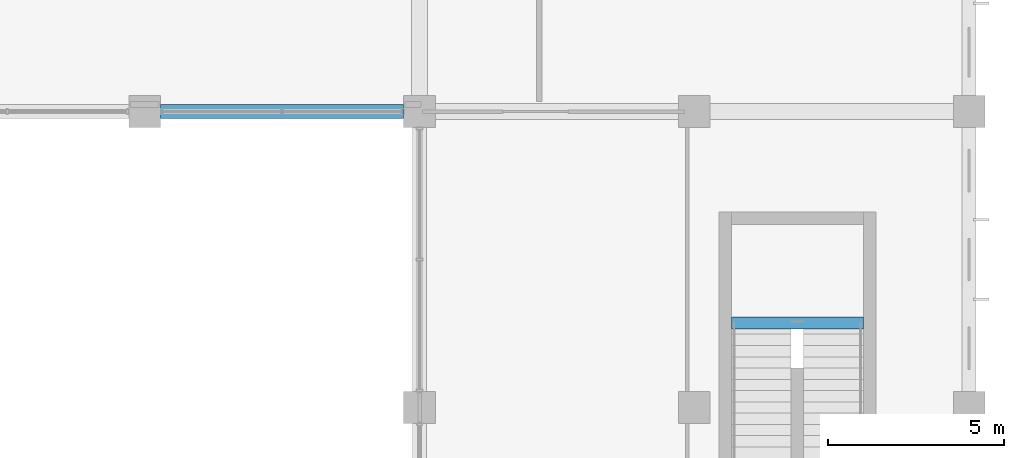
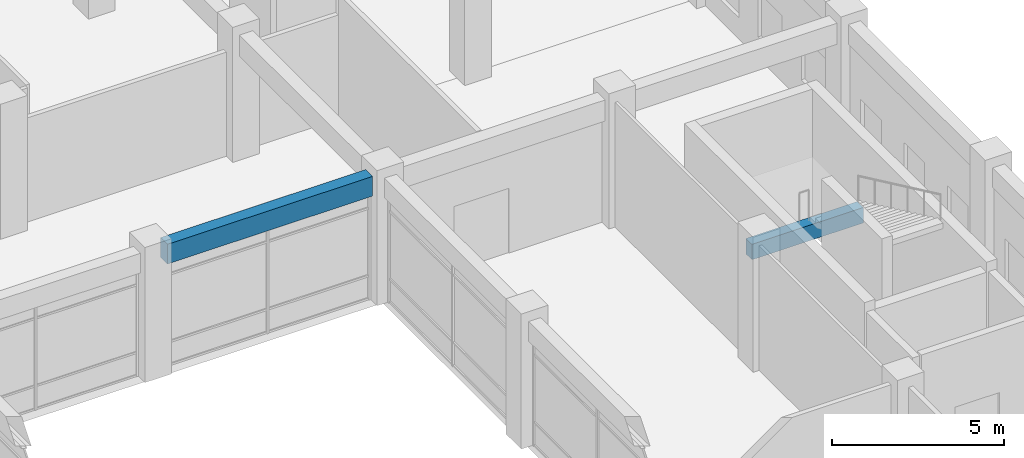
# One storey, part 39 of 79: 2 beams.
"""IFC4 building model written with IfcOpenShell, lengths in metres."""

import ifcopenshell
import ifcopenshell.guid

model = None  # the IFC model being written
_history = None  # IfcOwnerHistory: only IFC2X3 demands one
_inside = {}  # id of a spatial element -> (the spatial element, [elements in it])
_under = {}  # id of a project, library or spatial element -> (it, [spatial elements below it])
_declared = {}  # id of a project -> (the project, [libraries it declares])
_typed = {}  # id of a type object -> (the type object, [elements of that type])
_made_of = {}  # id of a material, layer set ... -> (it, [elements and type objects made of it])


def new_model(schema):
    """Start an empty IFC model of exactly this schema.

    Asked for "IFC4X3", IfcOpenShell would pick the latest addendum, in which some entities
    have other attributes; the version numbers below select the first issue.
    IFC2X3 requires an IfcOwnerHistory on every rooted entity: one is made here for all.
    """
    global model, _history
    if schema == "IFC4X3":
        model = ifcopenshell.file(schema_version=(4, 3, 0, 0))
    else:
        model = ifcopenshell.file(schema=schema)
    _inside.clear()
    _under.clear()
    _declared.clear()
    _typed.clear()
    _made_of.clear()
    _history = None
    if model.schema == "IFC2X3":
        org = make("IfcOrganization", Name="unknown")
        user = make(
            "IfcPersonAndOrganization",
            ThePerson=make("IfcPerson", FamilyName="unknown"),
            TheOrganization=org,
        )
        app = make(
            "IfcApplication",
            ApplicationDeveloper=org,
            Version="unknown",
            ApplicationFullName="unknown",
            ApplicationIdentifier="unknown",
        )
        _history = make(
            "IfcOwnerHistory",
            OwningUser=user,
            OwningApplication=app,
            ChangeAction="ADDED",
            CreationDate=0,
        )
    return model


def make(cls, **values):
    """One entity of the class cls with the attributes given. An attribute that is None is left unset."""
    return model.create_entity(
        cls, **{name: value for name, value in values.items() if value is not None}
    )


def rooted(cls, **values):
    """An entity with a GlobalId (a new one), such as an element, a storey or a relation."""
    return make(cls, GlobalId=ifcopenshell.guid.new(), OwnerHistory=_history, **values)


def si_unit(unit_type, name, prefix=None):
    """IfcSIUnit, for example si_unit("LENGTHUNIT", "METRE", prefix="MILLI")."""
    return make("IfcSIUnit", UnitType=unit_type, Prefix=prefix, Name=name)


def assignment(units):
    """IfcUnitAssignment: the units of a project."""
    return None if units is None else make("IfcUnitAssignment", Units=units)


def point(xyz):
    """IfcCartesianPoint."""
    return None if xyz is None else make("IfcCartesianPoint", Coordinates=xyz)


def direction(xyz):
    """IfcDirection."""
    return None if xyz is None else make("IfcDirection", DirectionRatios=xyz)


def frame(location, z_axis=None, x_axis=None):
    """IfcAxis2Placement3D, a coordinate frame: its origin and axes. An axis left out is left unset."""
    return make(
        "IfcAxis2Placement3D",
        Location=point(location),
        Axis=direction(z_axis),
        RefDirection=direction(x_axis),
    )


def frame_2d(location, x_axis=None):
    """IfcAxis2Placement2D, a coordinate frame in the plane: its origin and x axis."""
    return make(
        "IfcAxis2Placement2D", Location=point(location), RefDirection=direction(x_axis)
    )


def origin():
    """The frame at (0, 0, 0) with its axes left unset."""
    return frame((0.0, 0.0, 0.0))


def origin_2d():
    """The frame at (0, 0) in the plane with its x axis left unset."""
    return frame_2d((0.0, 0.0))


def place(relative_to, where):
    """IfcLocalPlacement: puts the frame where relative to a parent placement (None: the world)."""
    return make(
        "IfcLocalPlacement", PlacementRelTo=relative_to, RelativePlacement=where
    )


def context(
    kind, dimensions, precision=None, world=None, true_north=None, identifier=None
):
    """IfcGeometricRepresentationContext, for example the 3D "Model" context."""
    return make(
        "IfcGeometricRepresentationContext",
        ContextIdentifier=identifier,
        ContextType=kind,
        CoordinateSpaceDimension=dimensions,
        Precision=precision,
        WorldCoordinateSystem=world,
        TrueNorth=true_north,
    )


def subcontext(parent, identifier, kind, view, scale=None):
    """IfcGeometricRepresentationSubContext, for example "Body" below "Model"."""
    return make(
        "IfcGeometricRepresentationSubContext",
        ContextIdentifier=identifier,
        ContextType=kind,
        ParentContext=parent,
        TargetScale=scale,
        TargetView=view,
    )


def project(units=None, contexts=None):
    """IfcProject with its units and contexts."""
    return rooted(
        "IfcProject",
        Name="project",
        RepresentationContexts=contexts,
        UnitsInContext=assignment(units),
    )


def spatial(cls, under=None, at=None, **own):
    """A site, building, storey or space (cls), placed at a placement, below another one or the project."""
    s = rooted(cls, ObjectPlacement=at, **own)
    if under is not None:
        _under.setdefault(under.id(), (under, []))[1].append(s)
    return s


def profile(cls, at=None, kind="AREA", **sizes):
    """A parametric profile (cls). Its sizes go by their IFC names, for example OverallWidth=200.0."""
    return make(cls, ProfileType=kind, Position=at, **sizes)


def rectangle(**sizes):
    """IfcRectangleProfileDef."""
    return profile("IfcRectangleProfileDef", **sizes)


def extrude(swept, where, along, depth):
    """IfcExtrudedAreaSolid: the profile swept, set in the frame where, extruded along a direction by depth."""
    return make(
        "IfcExtrudedAreaSolid",
        SweptArea=swept,
        Position=where,
        ExtrudedDirection=direction(along),
        Depth=depth,
    )


def shape(context_of_items, identifier, shape_type, items):
    """IfcShapeRepresentation: the items that make up one representation, for example the "Body"."""
    return make(
        "IfcShapeRepresentation",
        ContextOfItems=context_of_items,
        RepresentationIdentifier=identifier,
        RepresentationType=shape_type,
        Items=items,
    )


def material(Name=None, Category=None):
    """IfcMaterial."""
    return make("IfcMaterial", Name=Name, Category=Category)


def material_profile(
    of_material, cross_section, Name=None, Category=None, Priority=None
):
    """IfcMaterialProfile: a cross section and its material."""
    return make(
        "IfcMaterialProfile",
        Name=Name,
        Material=of_material,
        Profile=cross_section,
        Priority=Priority,
        Category=Category,
    )


def profile_set(profiles, Name=None, composite=None):
    """IfcMaterialProfileSet."""
    return make(
        "IfcMaterialProfileSet",
        Name=Name,
        MaterialProfiles=profiles,
        CompositeProfile=composite,
    )


def made_of(thing, what):
    """Note that an element or type object is made of a material, layer set ...; save() writes the relation."""
    if what is not None:
        _made_of.setdefault(what.id(), (what, []))[1].append(thing)
    return thing


def type_object(cls, material=None, **own):
    """A type object (cls), such as IfcWallType, which elements share."""
    return made_of(rooted(cls, **own), material)


def element(
    cls,
    number,
    at=None,
    inside=None,
    cuts=None,
    type_object=None,
    material=None,
    context=None,
    identifier="Body",
    shape_type=None,
    held_by="IfcProductDefinitionShape",
    body=None,
    shapes=None,
    **own,
):
    """One element of the class cls, such as IfcWall. Its Tag is "e" and its number.

    at: its placement. inside: the storey or other place that contains it. cuts: it is an
    opening in that element (IfcRelVoidsElement). A single representation is given by context,
    identifier, shape_type and body (its items); several are given by shapes. held_by: the class
    of the entity that holds the representations. save() writes the other relations.
    """
    e = rooted(cls, Tag="e%d" % number, ObjectPlacement=at, **own)
    if body is not None:
        shapes = [shape(context, identifier, shape_type, body)]
    if shapes is not None:
        e.Representation = make(held_by, Representations=shapes)
    if inside is not None:
        _inside.setdefault(inside.id(), (inside, []))[1].append(e)
    if cuts is not None:
        rooted(
            "IfcRelVoidsElement", RelatingBuildingElement=cuts, RelatedOpeningElement=e
        )
    if type_object is not None:
        _typed.setdefault(type_object.id(), (type_object, []))[1].append(e)
    return made_of(e, material)


def aggregate(whole, parts):
    """IfcRelAggregates: a whole, such as a stair, and the parts it consists of."""
    return rooted("IfcRelAggregates", RelatingObject=whole, RelatedObjects=parts)


def save(model, path):
    """Write the relations noted so far, then the file.

    IfcRelAggregates (storeys below a building ...), IfcRelContainedInSpatialStructure (elements
    in a storey), IfcRelDefinesByType, IfcRelAssociatesMaterial and IfcRelDeclares: one each for
    every whole, place, type object, material and project.
    """
    for whole, parts in _under.values():
        aggregate(whole, parts)
    for where, things in _inside.values():
        rooted(
            "IfcRelContainedInSpatialStructure",
            RelatedElements=things,
            RelatingStructure=where,
        )
    for kind, things in _typed.values():
        rooted("IfcRelDefinesByType", RelatedObjects=things, RelatingType=kind)
    for what, things in _made_of.values():
        rooted("IfcRelAssociatesMaterial", RelatedObjects=things, RelatingMaterial=what)
    for by, libraries in _declared.values():
        rooted("IfcRelDeclares", RelatingContext=by, RelatedDefinitions=libraries)
    model.write(path)


model = new_model("IFC4")

# Units and contexts
model_context = context("Model", 3, precision=1e-05, world=origin(), true_north=direction((0.0, 1.0)))
body_context = subcontext(model_context, "Body", "Model", "MODEL_VIEW")
ifc_project = project(units=[si_unit("LENGTHUNIT", "METRE"), si_unit("AREAUNIT", "SQUARE_METRE"), si_unit("VOLUMEUNIT", "CUBIC_METRE"), si_unit("PLANEANGLEUNIT", "RADIAN"), si_unit("MASSUNIT", "GRAM", prefix="KILO"), si_unit("THERMODYNAMICTEMPERATUREUNIT", "KELVIN"), si_unit("POWERUNIT", "WATT")], contexts=[model_context])

# Site, building, storey
site_placement = place(None, origin())
site = spatial("IfcSite", under=ifc_project, at=site_placement, CompositionType="ELEMENT")
building_placement = place(site_placement, origin())
building = spatial("IfcBuilding", under=site, at=building_placement, Name="Srebrne Nadtorze General Hospital", CompositionType="ELEMENT")
storey_placement = place(building_placement, frame((0.0, 0.0, 4.800048828125)))
storey = spatial("IfcBuildingStorey", under=building, at=storey_placement, Name="L01", CompositionType="ELEMENT", Elevation=4.800048828125)

# Beams
ifc_material_1 = material(Name="Concrete C40/50", Category="concrete")
ifc_material_profile_1 = material_profile(ifc_material_1, rectangle(XDim=0.39990234375, YDim=0.699951171875, at=origin_2d()), Name="RC-BM-400x700")
ifc_profile_set_1 = profile_set([ifc_material_profile_1], Name="Concrete C40/50")
beam_type_1 = type_object("IfcBeamType", Name="Edge beam RC 400x700", PredefinedType="BEAM", material=ifc_profile_set_1)
beam_1_placement = place(storey_placement, frame((125.25, 25.199951171875, 4.099853515625), z_axis=(1.0, 0.0, 0.0), x_axis=(0.0, 1.0, 0.0)))
element("IfcBeam", 1, at=beam_1_placement, inside=storey, type_object=beam_type_1, Name="Beam BM-L01-X-0397", PredefinedType="BEAM", context=body_context, shape_type="SweptSolid", body=[
    extrude(rectangle(XDim=0.39990234375, YDim=0.699951171875, at=origin_2d()), origin(), (0.0, 0.0, 1.0), 6.89990234375),
])
ifc_material_2 = material(Name="Concrete C35/45", Category="concrete")
ifc_material_profile_2 = material_profile(ifc_material_2, rectangle(XDim=0.35009765625, YDim=0.550048828125, at=origin_2d()), Name="RC-BM-350x550")
ifc_profile_set_2 = profile_set([ifc_material_profile_2], Name="Concrete C35/45")
beam_type_2 = type_object("IfcBeamType", Name="Spandrel lintel beam RC 350x550", PredefinedType="LINTEL", material=ifc_profile_set_2)
beam_2_placement = place(storey_placement, frame((141.449951171875, 19.199951171875, 2.125), z_axis=(1.0, 0.0, 0.0), x_axis=(0.0, 1.0, 0.0)))
element("IfcBeam", 2, at=beam_2_placement, inside=storey, type_object=beam_type_2, Name="Stair landing header beam ST-08 L01", PredefinedType="LINTEL", context=body_context, shape_type="SweptSolid", body=[
    extrude(rectangle(XDim=0.35009765625, YDim=0.550048828125, at=origin_2d()), origin(), (0.0, 0.0, 1.0), 3.75),
])

save(model, "model.ifc")
